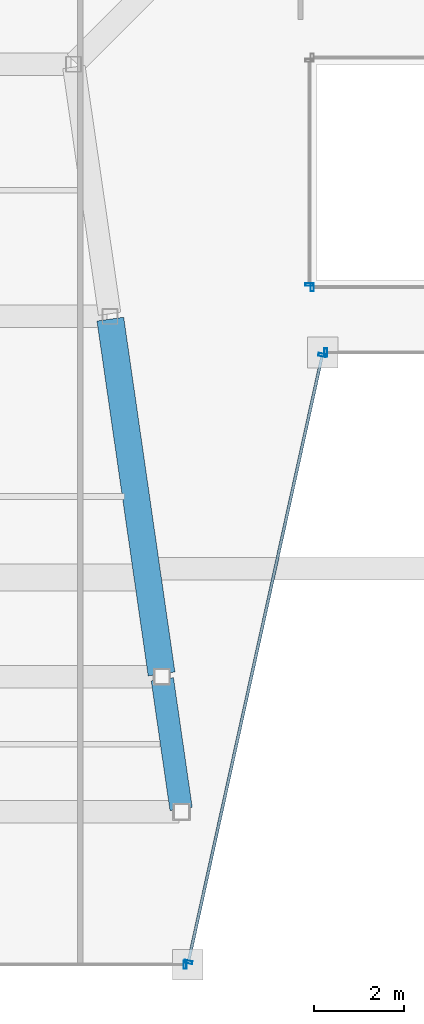
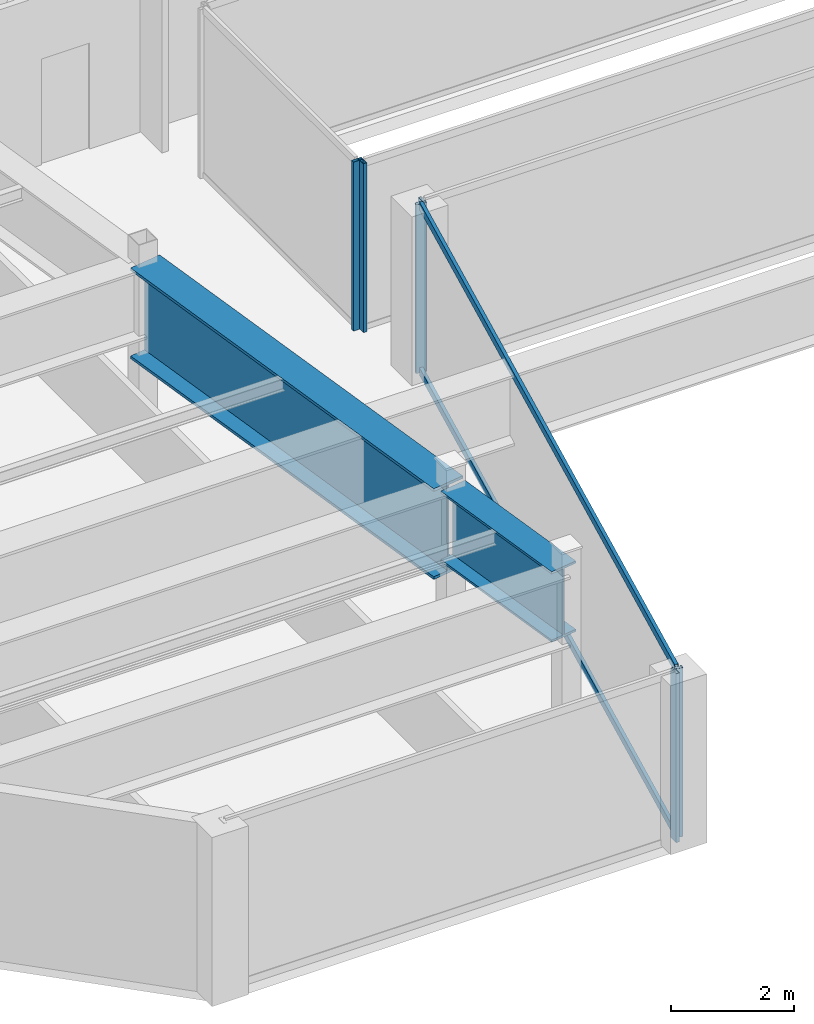
# One storey, part 6 of 35: 8 members, 2 beams, 5 elements without a shape of their own.
"""IFC4 building model written with IfcOpenShell, lengths in metres."""

from ifc_helpers import new_model, si_unit, direction, frame, origin, origin_2d, place, context, subcontext, project, spatial, hollow_rectangle, i_section, extrude, material, material_profile, profile_set, type_object, element, aggregate, save


model = new_model("IFC4")

# Units and contexts
model_context = context("Model", 3, precision=1e-05, world=origin(), true_north=direction((0.0, 1.0)))
body_context = subcontext(model_context, "Body", "Model", "MODEL_VIEW")
ifc_project = project(units=[si_unit("LENGTHUNIT", "METRE"), si_unit("AREAUNIT", "SQUARE_METRE"), si_unit("VOLUMEUNIT", "CUBIC_METRE"), si_unit("PLANEANGLEUNIT", "RADIAN"), si_unit("MASSUNIT", "GRAM", prefix="KILO")], contexts=[model_context])

# Site, building, storey
site_placement = place(None, origin())
site = spatial("IfcSite", under=ifc_project, at=site_placement, CompositionType="ELEMENT")
building_placement = place(site_placement, origin())
building = spatial("IfcBuilding", under=site, at=building_placement, Name="Saevonmaru Cultural Tower", CompositionType="ELEMENT")
storey_placement = place(building_placement, frame((0.0, 0.0, 249.60009765625)))
storey = spatial("IfcBuildingStorey", under=building, at=storey_placement, Name="L58", CompositionType="ELEMENT", Elevation=249.60009765625)

# Beams
ifc_material_1 = material(Name="Steel HSA600 (600 MPa)", Category="steel")
ifc_material_profile_1 = material_profile(ifc_material_1, i_section(OverallWidth=0.5, OverallDepth=1.39990234375, WebThickness=0.02392578125, FlangeThickness=0.044921875, at=origin_2d()), Name="PG-1400x500x24x45")
ifc_profile_set_1 = profile_set([ifc_material_profile_1], Name="Steel HSA600 (600 MPa)")
beam_type_1 = type_object("IfcBeamType", Name="BM-TG-PG1400", PredefinedType="BEAM", material=ifc_profile_set_1)
beam_1_placement = place(storey_placement, frame((21.197509765625, 21.059326171875, 2.64990234375), z_axis=(-0.143229094195, 0.989689560709, 0.0), x_axis=(-0.989689560709, -0.143229094195, 0.0)))
element("IfcBeam", 1, at=beam_1_placement, inside=storey, type_object=beam_type_1, Name="L58 West Atrium Girder 1", PredefinedType="BEAM", context=body_context, shape_type="SweptSolid", body=[
    extrude(i_section(OverallWidth=0.5, OverallDepth=1.39990234375, WebThickness=0.02392578125, FlangeThickness=0.044921875, at=origin_2d()), origin(), (0.0, 0.0, 1.0), 2.911376953125),
])
ifc_material_profile_2 = material_profile(ifc_material_1, i_section(OverallWidth=0.60009765625, OverallDepth=1.800048828125, WebThickness=0.028076171875, FlangeThickness=0.054931640625, at=origin_2d()), Name="PG-1800x600x28x55")
ifc_profile_set_2 = profile_set([ifc_material_profile_2], Name="Steel HSA600 (600 MPa)")
beam_type_2 = type_object("IfcBeamType", Name="BM-TG-PG1800", PredefinedType="BEAM", material=ifc_profile_set_2)
beam_2_placement = place(storey_placement, frame((20.763427734375, 24.059326171875, 2.449951171875), z_axis=(-0.142902032203, 0.989736838353, 0.0), x_axis=(-0.989736838353, -0.142902032203, 0.0)))
element("IfcBeam", 2, at=beam_2_placement, inside=storey, type_object=beam_type_2, Name="L58 West Atrium Girder 2", PredefinedType="BEAM", context=body_context, shape_type="SweptSolid", body=[
    extrude(i_section(OverallWidth=0.60009765625, OverallDepth=1.800048828125, WebThickness=0.028076171875, FlangeThickness=0.054931640625, at=origin_2d()), origin(), (0.0, 0.0, 1.0), 7.963134765625),
])

# Curtain wall, member
ifc_material_2 = material(Name="Satin Bronze Anodised Aluminium", Category="aluminium")
curtain_wall_type_1 = type_object("IfcCurtainWallType", Name="CW-TYP-B", PredefinedType="NOTDEFINED", material=ifc_material_2)
curtain_wall_1_placement = place(storey_placement, origin())
curtain_wall_1 = element("IfcCurtainWall", 3, at=curtain_wall_1_placement, inside=storey, type_object=curtain_wall_type_1, Name="L58 Unitised Curtain Wall E2", PredefinedType="NOTDEFINED")
ifc_material_profile_3 = material_profile(ifc_material_2, hollow_rectangle(XDim=0.06494140625, YDim=0.179931640625, WallThickness=0.00390625, at=origin_2d()), Name="ALU-MULL-180x65x4")
ifc_profile_set_3 = profile_set([ifc_material_profile_3], Name="Satin Bronze Anodised Aluminium")
member_type_1 = type_object("IfcMemberType", Name="ML-CW-180x65", PredefinedType="MULLION", material=ifc_profile_set_3)
member_1_placement = place(storey_placement, frame((21.28662109375, 17.60009765625, 0.0), z_axis=(0.0, 0.0, 1.0), x_axis=(1.0, 0.0, 0.0)))
member_1 = element("IfcMember", 4, at=member_1_placement, type_object=member_type_1, Name="CW-TW-L58-E2 mullion 2", PredefinedType="MULLION", context=body_context, shape_type="SweptSolid", body=[
    extrude(hollow_rectangle(XDim=0.06494140625, YDim=0.179931640625, WallThickness=0.00390625, at=origin_2d()), origin(), (0.0, 0.0, 1.0), 3.349853515625),
])
aggregate(curtain_wall_1, [member_1])

# Curtain wall, members
curtain_wall_2_placement = place(storey_placement, origin())
curtain_wall_2 = element("IfcCurtainWall", 5, at=curtain_wall_2_placement, inside=storey, type_object=curtain_wall_type_1, Name="L58 Unitised Curtain Wall E3", PredefinedType="NOTDEFINED")
member_2_placement = place(storey_placement, frame((21.359619140625, 17.65869140625, 0.0), z_axis=(0.0, 0.0, 1.0), x_axis=(0.215413319953, 0.976522965212, 0.0)))
member_2 = element("IfcMember", 6, at=member_2_placement, type_object=member_type_1, Name="CW-TW-L58-E3 mullion 1", PredefinedType="MULLION", context=body_context, shape_type="SweptSolid", body=[
    extrude(hollow_rectangle(XDim=0.06494140625, YDim=0.179931640625, WallThickness=0.00390625, at=origin_2d()), origin(), (0.0, 0.0, 1.0), 3.349853515625),
])
member_3_placement = place(storey_placement, frame((24.333740234375, 31.141357421875, 0.0), z_axis=(0.0, 0.0, 1.0), x_axis=(0.215413319953, 0.976522965212, 0.0)))
member_3 = element("IfcMember", 7, at=member_3_placement, type_object=member_type_1, Name="CW-TW-L58-E3 mullion 2", PredefinedType="MULLION", context=body_context, shape_type="SweptSolid", body=[
    extrude(hollow_rectangle(XDim=0.06494140625, YDim=0.179931640625, WallThickness=0.00390625, at=origin_2d()), origin(), (0.0, 0.0, 1.0), 3.349853515625),
])

# Curtain wall, member
curtain_wall_3_placement = place(storey_placement, origin())
curtain_wall_3 = element("IfcCurtainWall", 8, at=curtain_wall_3_placement, inside=storey, type_object=curtain_wall_type_1, Name="L58 Unitised Curtain Wall E4", PredefinedType="NOTDEFINED")
member_4_placement = place(storey_placement, frame((24.40673828125, 31.199951171875, 0.0), z_axis=(0.0, 0.0, 1.0), x_axis=(1.0, 0.0, 0.0)))
member_4 = element("IfcMember", 9, at=member_4_placement, type_object=member_type_1, Name="CW-TW-L58-E4 mullion 1", PredefinedType="MULLION", context=body_context, shape_type="SweptSolid", body=[
    extrude(hollow_rectangle(XDim=0.06494140625, YDim=0.179931640625, WallThickness=0.00390625, at=origin_2d()), origin(), (0.0, 0.0, 1.0), 3.349853515625),
])
aggregate(curtain_wall_3, [member_4])

curtain_wall_type_2 = type_object("IfcCurtainWallType", Name="CW-ATR-GLZ", PredefinedType="NOTDEFINED", material=ifc_material_2)
curtain_wall_4_placement = place(storey_placement, origin())
curtain_wall_4 = element("IfcCurtainWall", 10, at=curtain_wall_4_placement, inside=storey, type_object=curtain_wall_type_2, Name="L58 Vertical Atrium Glazed Smoke Screen 1", PredefinedType="NOTDEFINED")
ifc_material_profile_4 = material_profile(ifc_material_2, hollow_rectangle(XDim=0.06494140625, YDim=0.179931640625, WallThickness=0.00390625, at=origin_2d()), Name="ALU-MULL-180x65x4")
ifc_profile_set_4 = profile_set([ifc_material_profile_4], Name="Satin Bronze Anodised Aluminium")
member_type_2 = type_object("IfcMemberType", Name="ML-CW-INT-180x65", PredefinedType="MULLION", material=ifc_profile_set_4)
member_5_placement = place(storey_placement, frame((24.110107421875, 32.64990234375, 0.0), z_axis=(0.0, 0.0, 1.0), x_axis=(1.0, 0.0, 0.0)))
member_5 = element("IfcMember", 11, at=member_5_placement, type_object=member_type_2, Name="CW-ATR-L58-1 mullion 1", PredefinedType="MULLION", context=body_context, shape_type="SweptSolid", body=[
    extrude(hollow_rectangle(XDim=0.06494140625, YDim=0.179931640625, WallThickness=0.00390625, at=origin_2d()), origin(), (0.0, 0.0, 1.0), 3.349853515625),
])
aggregate(curtain_wall_4, [member_5])

curtain_wall_5_placement = place(storey_placement, origin())
curtain_wall_5 = element("IfcCurtainWall", 12, at=curtain_wall_5_placement, inside=storey, type_object=curtain_wall_type_2, Name="L58 Vertical Atrium Glazed Smoke Screen 4", PredefinedType="NOTDEFINED")
member_6_placement = place(storey_placement, frame((24.050048828125, 32.7099609375, 0.0), z_axis=(0.0, 0.0, 1.0), x_axis=(0.0, -1.0, 0.0)))
member_6 = element("IfcMember", 13, at=member_6_placement, type_object=member_type_2, Name="CW-ATR-L58-4 mullion 2", PredefinedType="MULLION", context=body_context, shape_type="SweptSolid", body=[
    extrude(hollow_rectangle(XDim=0.06494140625, YDim=0.179931640625, WallThickness=0.00390625, at=origin_2d()), origin(), (0.0, 0.0, 1.0), 3.349853515625),
])
aggregate(curtain_wall_5, [member_6])

# Member
ifc_material_profile_5 = material_profile(ifc_material_2, hollow_rectangle(XDim=0.06494140625, YDim=0.14990234375, WallThickness=0.00390625, at=origin_2d()), Name="ALU-TRAN-150x65x4")
ifc_profile_set_5 = profile_set([ifc_material_profile_5], Name="Satin Bronze Anodised Aluminium")
member_type_3 = type_object("IfcMemberType", Name="TR-CW-150x65", PredefinedType="USERDEFINED", material=ifc_profile_set_5)
member_7_placement = place(storey_placement, frame((21.36669921875, 17.6904296875, 0.032470703125), z_axis=(0.215415884539, 0.976522399481, 0.0), x_axis=(-0.976522399481, 0.215415884539, 0.0)))
member_7 = element("IfcMember", 14, at=member_7_placement, type_object=member_type_3, Name="CW-TW-L58-E3 transom 1.1", ObjectType="TRANSOM", PredefinedType="USERDEFINED", context=body_context, shape_type="SweptSolid", body=[
    extrude(hollow_rectangle(XDim=0.06494140625, YDim=0.14990234375, WallThickness=0.00390625, at=origin_2d()), origin(), (0.0, 0.0, 1.0), 13.74169921875),
])

member_8_placement = place(storey_placement, frame((21.36669921875, 17.6904296875, 3.3173828125), z_axis=(0.215415884539, 0.976522399481, 0.0), x_axis=(-0.976522399481, 0.215415884539, 0.0)))
member_8 = element("IfcMember", 15, at=member_8_placement, type_object=member_type_3, Name="CW-TW-L58-E3 transom 1.2", ObjectType="TRANSOM", PredefinedType="USERDEFINED", context=body_context, shape_type="SweptSolid", body=[
    extrude(hollow_rectangle(XDim=0.06494140625, YDim=0.14990234375, WallThickness=0.00390625, at=origin_2d()), origin(), (0.0, 0.0, 1.0), 13.74169921875),
])

aggregate(curtain_wall_2, [member_2, member_3, member_7, member_8])

save(model, "model.ifc")
